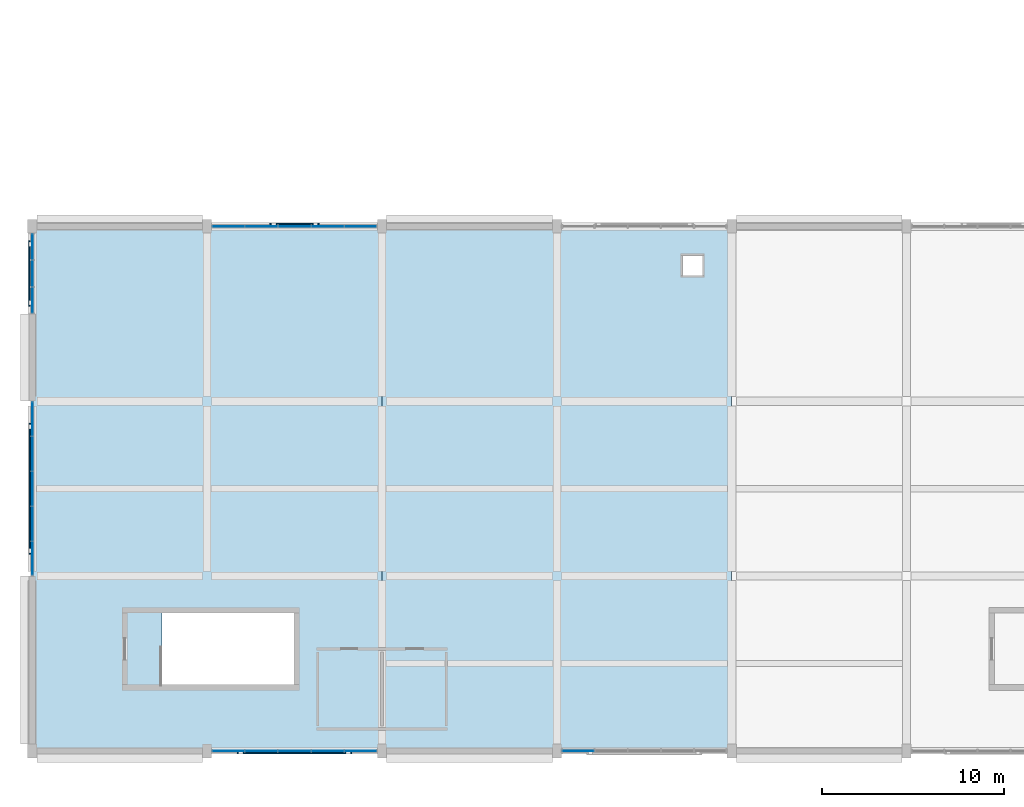
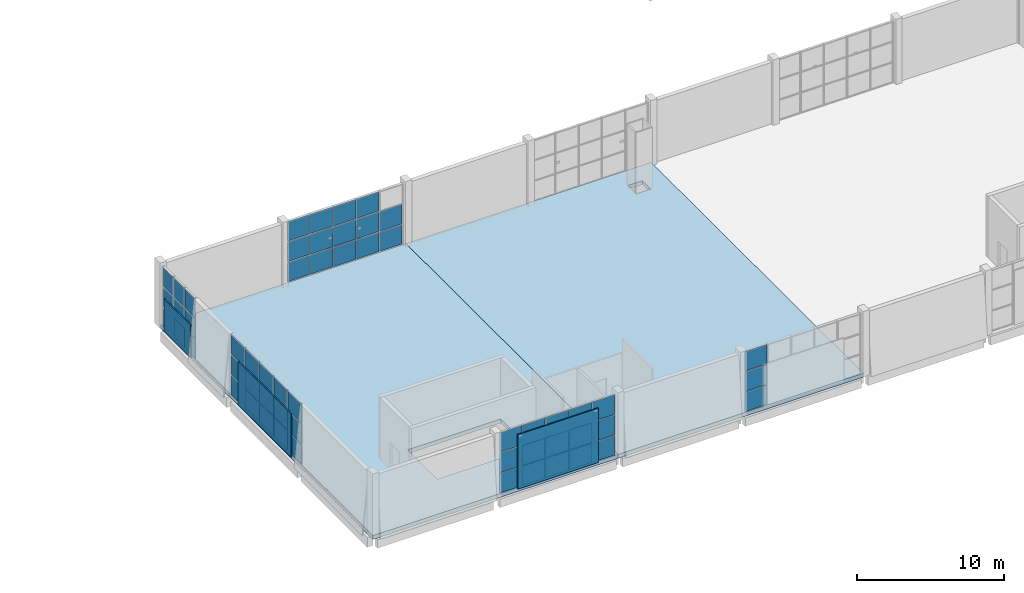
# One storey, part 34 of 72: 60 plates, 2 slabs, 5 elements without a shape of their own.
"""IFC4 building model written with IfcOpenShell, lengths in metres."""

from ifc_helpers import new_model, si_unit, direction, frame, origin, origin_2d, place, context, subcontext, project, spatial, polyline, rectangle, outline, extrude, material, layer, layer_set, type_object, element, aggregate, save


model = new_model("IFC4")

# Units and contexts
model_context = context("Model", 3, precision=1e-05, world=origin(), true_north=direction((0.0, 1.0)))
body_context = subcontext(model_context, "Body", "Model", "MODEL_VIEW")
ifc_project = project(units=[si_unit("LENGTHUNIT", "METRE"), si_unit("AREAUNIT", "SQUARE_METRE"), si_unit("VOLUMEUNIT", "CUBIC_METRE"), si_unit("PLANEANGLEUNIT", "RADIAN"), si_unit("MASSUNIT", "GRAM", prefix="KILO")], contexts=[model_context])

# Site, building, storey
site_placement = place(None, origin())
site = spatial("IfcSite", under=ifc_project, at=site_placement, CompositionType="ELEMENT")
building_placement = place(site_placement, origin())
building = spatial("IfcBuilding", under=site, at=building_placement, Name="Shalvenor Court Art Gallery", CompositionType="ELEMENT")
storey_placement = place(building_placement, frame((0.0, 0.0, 11.39990234375)))
storey = spatial("IfcBuildingStorey", under=building, at=storey_placement, Name="L02", CompositionType="ELEMENT", Elevation=11.39990234375)

# Curtain wall, plates
ifc_material_1 = material(Name="Anodised aluminium and low-iron glass curtain wall", Category="aluminium")
curtain_wall_type_1 = type_object("IfcCurtainWallType", Name="CW-5x3-91-51-141", PredefinedType="USERDEFINED", material=ifc_material_1)
curtain_wall_1_placement = place(storey_placement, origin())
curtain_wall_1 = element("IfcCurtainWall", 1, at=curtain_wall_1_placement, inside=storey, type_object=curtain_wall_type_1, Name="L02 V4 Curtain Wall CW-L02-140", ObjectType="CURTAIN WALL", PredefinedType="USERDEFINED")
ifc_material_2 = material(Name="Low-iron UV-laminated double glazing IGU", Category="glass")
ifc_layer_1 = layer(ifc_material_2, 0.028076171875, Name="Low-iron UV-laminated double glazing IGU")
ifc_layer_set_1 = layer_set([ifc_layer_1], Name="Low-iron UV-laminated double glazing IGU")
plate_type_1 = type_object("IfcPlateType", Name="CWP-01", PredefinedType="CURTAIN_PANEL", material=ifc_layer_set_1)
plate_1_placement = place(storey_placement, frame((10.7763671875, 28.800048828125, 0.0703125), z_axis=(0.0, 0.0, 1.0), x_axis=(1.0, 0.0, 0.0)))
plate_1 = element("IfcPlate", 2, at=plate_1_placement, type_object=plate_type_1, Name="CW-5x3-91-51-141 panel 1.1", PredefinedType="CURTAIN_PANEL", context=body_context, shape_type="SweptSolid", body=[
    extrude(rectangle(XDim=1.722412109375, YDim=0.028076171875, at=origin_2d()), origin(), (0.0, 0.0, 1.0), 1.594970703125),
])
plate_2_placement = place(storey_placement, frame((10.7763671875, 28.800048828125, 1.735107421875), z_axis=(0.0, 0.0, 1.0), x_axis=(1.0, 0.0, 0.0)))
plate_2 = element("IfcPlate", 3, at=plate_2_placement, type_object=plate_type_1, Name="CW-5x3-91-51-141 panel 1.2", PredefinedType="CURTAIN_PANEL", context=body_context, shape_type="SweptSolid", body=[
    extrude(rectangle(XDim=1.722412109375, YDim=0.028076171875, at=origin_2d()), origin(), (0.0, 0.0, 1.0), 1.6298828125),
])
plate_3_placement = place(storey_placement, frame((10.7763671875, 28.800048828125, 3.43505859375), z_axis=(0.0, 0.0, 1.0), x_axis=(1.0, 0.0, 0.0)))
plate_3 = element("IfcPlate", 4, at=plate_3_placement, type_object=plate_type_1, Name="CW-5x3-91-51-141 panel 1.3", PredefinedType="CURTAIN_PANEL", context=body_context, shape_type="SweptSolid", body=[
    extrude(rectangle(XDim=1.722412109375, YDim=0.028076171875, at=origin_2d()), origin(), (0.0, 0.0, 1.0), 1.594970703125),
])
plate_4_placement = place(storey_placement, frame((12.580078125, 28.800048828125, 0.0703125), z_axis=(0.0, 0.0, 1.0), x_axis=(1.0, 0.0, 0.0)))
plate_4 = element("IfcPlate", 5, at=plate_4_placement, type_object=plate_type_1, Name="CW-5x3-91-51-141 panel 2.1", PredefinedType="CURTAIN_PANEL", context=body_context, shape_type="SweptSolid", body=[
    extrude(rectangle(XDim=1.7548828125, YDim=0.028076171875, at=origin_2d()), origin(), (0.0, 0.0, 1.0), 1.594970703125),
])
plate_5_placement = place(storey_placement, frame((12.580078125, 28.800048828125, 1.735107421875), z_axis=(0.0, 0.0, 1.0), x_axis=(1.0, 0.0, 0.0)))
plate_5 = element("IfcPlate", 6, at=plate_5_placement, type_object=plate_type_1, Name="CW-5x3-91-51-141 panel 2.2", PredefinedType="CURTAIN_PANEL", context=body_context, shape_type="SweptSolid", body=[
    extrude(rectangle(XDim=1.7548828125, YDim=0.028076171875, at=origin_2d()), origin(), (0.0, 0.0, 1.0), 1.6298828125),
])
plate_6_placement = place(storey_placement, frame((12.580078125, 28.800048828125, 3.43505859375), z_axis=(0.0, 0.0, 1.0), x_axis=(1.0, 0.0, 0.0)))
plate_6 = element("IfcPlate", 7, at=plate_6_placement, type_object=plate_type_1, Name="CW-5x3-91-51-141 panel 2.3", PredefinedType="CURTAIN_PANEL", context=body_context, shape_type="SweptSolid", body=[
    extrude(rectangle(XDim=1.7548828125, YDim=0.028076171875, at=origin_2d()), origin(), (0.0, 0.0, 1.0), 1.594970703125),
])
plate_7_placement = place(storey_placement, frame((14.39990234375, 28.800048828125, 0.0703125), z_axis=(0.0, 0.0, 1.0), x_axis=(1.0, 0.0, 0.0)))
plate_7 = element("IfcPlate", 8, at=plate_7_placement, type_object=plate_type_1, Name="CW-5x3-91-51-141 panel 3.1", PredefinedType="CURTAIN_PANEL", context=body_context, shape_type="SweptSolid", body=[
    extrude(rectangle(XDim=1.7548828125, YDim=0.028076171875, at=origin_2d()), origin(), (0.0, 0.0, 1.0), 1.594970703125),
])
plate_8_placement = place(storey_placement, frame((14.39990234375, 28.800048828125, 1.735107421875), z_axis=(0.0, 0.0, 1.0), x_axis=(1.0, 0.0, 0.0)))
plate_8 = element("IfcPlate", 9, at=plate_8_placement, type_object=plate_type_1, Name="CW-5x3-91-51-141 panel 3.2", PredefinedType="CURTAIN_PANEL", context=body_context, shape_type="SweptSolid", body=[
    extrude(rectangle(XDim=1.7548828125, YDim=0.028076171875, at=origin_2d()), origin(), (0.0, 0.0, 1.0), 1.6298828125),
])
plate_9_placement = place(storey_placement, frame((14.39990234375, 28.800048828125, 3.43505859375), z_axis=(0.0, 0.0, 1.0), x_axis=(1.0, 0.0, 0.0)))
plate_9 = element("IfcPlate", 10, at=plate_9_placement, type_object=plate_type_1, Name="CW-5x3-91-51-141 panel 3.3", PredefinedType="CURTAIN_PANEL", context=body_context, shape_type="SweptSolid", body=[
    extrude(rectangle(XDim=1.7548828125, YDim=0.028076171875, at=origin_2d()), origin(), (0.0, 0.0, 1.0), 1.594970703125),
])
plate_10_placement = place(storey_placement, frame((16.219970703125, 28.800048828125, 0.0703125), z_axis=(0.0, 0.0, 1.0), x_axis=(1.0, 0.0, 0.0)))
plate_10 = element("IfcPlate", 11, at=plate_10_placement, type_object=plate_type_1, Name="CW-5x3-91-51-141 panel 4.1", PredefinedType="CURTAIN_PANEL", context=body_context, shape_type="SweptSolid", body=[
    extrude(rectangle(XDim=1.7548828125, YDim=0.028076171875, at=origin_2d()), origin(), (0.0, 0.0, 1.0), 1.594970703125),
])
plate_11_placement = place(storey_placement, frame((16.219970703125, 28.800048828125, 1.735107421875), z_axis=(0.0, 0.0, 1.0), x_axis=(1.0, 0.0, 0.0)))
plate_11 = element("IfcPlate", 12, at=plate_11_placement, type_object=plate_type_1, Name="CW-5x3-91-51-141 panel 4.2", PredefinedType="CURTAIN_PANEL", context=body_context, shape_type="SweptSolid", body=[
    extrude(rectangle(XDim=1.7548828125, YDim=0.028076171875, at=origin_2d()), origin(), (0.0, 0.0, 1.0), 1.6298828125),
])
plate_12_placement = place(storey_placement, frame((16.219970703125, 28.800048828125, 3.43505859375), z_axis=(0.0, 0.0, 1.0), x_axis=(1.0, 0.0, 0.0)))
plate_12 = element("IfcPlate", 13, at=plate_12_placement, type_object=plate_type_1, Name="CW-5x3-91-51-141 panel 4.3", PredefinedType="CURTAIN_PANEL", context=body_context, shape_type="SweptSolid", body=[
    extrude(rectangle(XDim=1.7548828125, YDim=0.028076171875, at=origin_2d()), origin(), (0.0, 0.0, 1.0), 1.594970703125),
])
plate_13_placement = place(storey_placement, frame((18.023681640625, 28.800048828125, 0.0703125), z_axis=(0.0, 0.0, 1.0), x_axis=(1.0, 0.0, 0.0)))
plate_13 = element("IfcPlate", 14, at=plate_13_placement, type_object=plate_type_1, Name="CW-5x3-91-51-141 panel 5.1", PredefinedType="CURTAIN_PANEL", context=body_context, shape_type="SweptSolid", body=[
    extrude(rectangle(XDim=1.722412109375, YDim=0.028076171875, at=origin_2d()), origin(), (0.0, 0.0, 1.0), 1.594970703125),
])
plate_14_placement = place(storey_placement, frame((18.023681640625, 28.800048828125, 1.735107421875), z_axis=(0.0, 0.0, 1.0), x_axis=(1.0, 0.0, 0.0)))
plate_14 = element("IfcPlate", 15, at=plate_14_placement, type_object=plate_type_1, Name="CW-5x3-91-51-141 panel 5.2", PredefinedType="CURTAIN_PANEL", context=body_context, shape_type="SweptSolid", body=[
    extrude(rectangle(XDim=1.722412109375, YDim=0.028076171875, at=origin_2d()), origin(), (0.0, 0.0, 1.0), 1.6298828125),
])
aggregate(curtain_wall_1, [plate_1, plate_2, plate_3, plate_4, plate_5, plate_6, plate_7, plate_8, plate_9, plate_10, plate_11, plate_12, plate_13, plate_14])

ifc_material_3 = material(Name="Anodised aluminium and low-iron glass curtain wall", Category="aluminium")
curtain_wall_type_2 = type_object("IfcCurtainWallType", Name="CW-5x3-91-51-441", PredefinedType="USERDEFINED", material=ifc_material_3)
curtain_wall_2_placement = place(storey_placement, origin())
curtain_wall_2 = element("IfcCurtainWall", 16, at=curtain_wall_2_placement, inside=storey, type_object=curtain_wall_type_2, Name="L02 V4 Curtain Wall CW-L02-146", ObjectType="CURTAIN WALL", PredefinedType="USERDEFINED")
plate_15_placement = place(storey_placement, frame((29.978759765625, 0.0, 0.0703125), z_axis=(0.0, 0.0, 1.0), x_axis=(-1.0, 0.0, 0.0)))
plate_15 = element("IfcPlate", 17, at=plate_15_placement, type_object=plate_type_1, Name="CW-5x3-91-51-441 panel 5.1", PredefinedType="CURTAIN_PANEL", context=body_context, shape_type="SweptSolid", body=[
    extrude(rectangle(XDim=1.70751953125, YDim=0.028076171875, at=origin_2d()), origin(), (0.0, 0.0, 1.0), 1.594970703125),
])
plate_16_placement = place(storey_placement, frame((29.978759765625, 0.0, 1.735107421875), z_axis=(0.0, 0.0, 1.0), x_axis=(-1.0, 0.0, 0.0)))
plate_16 = element("IfcPlate", 18, at=plate_16_placement, type_object=plate_type_1, Name="CW-5x3-91-51-441 panel 5.2", PredefinedType="CURTAIN_PANEL", context=body_context, shape_type="SweptSolid", body=[
    extrude(rectangle(XDim=1.70751953125, YDim=0.028076171875, at=origin_2d()), origin(), (0.0, 0.0, 1.0), 1.6298828125),
])
plate_17_placement = place(storey_placement, frame((29.978759765625, 0.0, 3.43505859375), z_axis=(0.0, 0.0, 1.0), x_axis=(-1.0, 0.0, 0.0)))
plate_17 = element("IfcPlate", 19, at=plate_17_placement, type_object=plate_type_1, Name="CW-5x3-91-51-441 panel 5.3", PredefinedType="CURTAIN_PANEL", context=body_context, shape_type="SweptSolid", body=[
    extrude(rectangle(XDim=1.70751953125, YDim=0.028076171875, at=origin_2d()), origin(), (0.0, 0.0, 1.0), 1.594970703125),
])
aggregate(curtain_wall_2, [plate_15, plate_16, plate_17])

ifc_material_4 = material(Name="Anodised aluminium and low-iron glass curtain wall", Category="aluminium")
curtain_wall_type_3 = type_object("IfcCurtainWallType", Name="CW-5x3-91-51-611", PredefinedType="USERDEFINED", material=ifc_material_4)
curtain_wall_3_placement = place(storey_placement, origin())
curtain_wall_3 = element("IfcCurtainWall", 20, at=curtain_wall_3_placement, inside=storey, type_object=curtain_wall_type_3, Name="L02 V4 Curtain Wall CW-L02-147", ObjectType="CURTAIN WALL", PredefinedType="USERDEFINED")
plate_18_placement = place(storey_placement, frame((18.0263671875, 0.0, 0.06005859375), z_axis=(0.0, 0.0, 1.0), x_axis=(-1.0, 0.0, 0.0)))
plate_18 = element("IfcPlate", 21, at=plate_18_placement, type_object=plate_type_1, Name="CW-5x3-91-51-611 panel 1.1", PredefinedType="CURTAIN_PANEL", context=body_context, shape_type="SweptSolid", body=[
    extrude(rectangle(XDim=1.737548828125, YDim=0.028076171875, at=origin_2d()), origin(), (0.0, 0.0, 1.0), 1.610107421875),
])
plate_19_placement = place(storey_placement, frame((18.0263671875, 0.0, 1.72998046875), z_axis=(0.0, 0.0, 1.0), x_axis=(-1.0, 0.0, 0.0)))
plate_19 = element("IfcPlate", 22, at=plate_19_placement, type_object=plate_type_1, Name="CW-5x3-91-51-611 panel 1.2", PredefinedType="CURTAIN_PANEL", context=body_context, shape_type="SweptSolid", body=[
    extrude(rectangle(XDim=1.737548828125, YDim=0.028076171875, at=origin_2d()), origin(), (0.0, 0.0, 1.0), 1.639892578125),
])
plate_20_placement = place(storey_placement, frame((18.0263671875, 0.0, 3.43017578125), z_axis=(0.0, 0.0, 1.0), x_axis=(-1.0, 0.0, 0.0)))
plate_20 = element("IfcPlate", 23, at=plate_20_placement, type_object=plate_type_1, Name="CW-5x3-91-51-611 panel 1.3", PredefinedType="CURTAIN_PANEL", context=body_context, shape_type="SweptSolid", body=[
    extrude(rectangle(XDim=1.737548828125, YDim=0.028076171875, at=origin_2d()), origin(), (0.0, 0.0, 1.0), 1.610107421875),
])
plate_21_placement = place(storey_placement, frame((16.219970703125, 0.0, 0.06005859375), z_axis=(0.0, 0.0, 1.0), x_axis=(-1.0, 0.0, 0.0)))
plate_21 = element("IfcPlate", 24, at=plate_21_placement, type_object=plate_type_1, Name="CW-5x3-91-51-611 panel 2.1", PredefinedType="CURTAIN_PANEL", context=body_context, shape_type="SweptSolid", body=[
    extrude(rectangle(XDim=1.764892578125, YDim=0.028076171875, at=origin_2d()), origin(), (0.0, 0.0, 1.0), 1.610107421875),
])
plate_22_placement = place(storey_placement, frame((16.219970703125, 0.0, 1.72998046875), z_axis=(0.0, 0.0, 1.0), x_axis=(-1.0, 0.0, 0.0)))
plate_22 = element("IfcPlate", 25, at=plate_22_placement, type_object=plate_type_1, Name="CW-5x3-91-51-611 panel 2.2", PredefinedType="CURTAIN_PANEL", context=body_context, shape_type="SweptSolid", body=[
    extrude(rectangle(XDim=1.764892578125, YDim=0.028076171875, at=origin_2d()), origin(), (0.0, 0.0, 1.0), 1.639892578125),
])
plate_23_placement = place(storey_placement, frame((16.219970703125, 0.0, 3.43017578125), z_axis=(0.0, 0.0, 1.0), x_axis=(-1.0, 0.0, 0.0)))
plate_23 = element("IfcPlate", 26, at=plate_23_placement, type_object=plate_type_1, Name="CW-5x3-91-51-611 panel 2.3", PredefinedType="CURTAIN_PANEL", context=body_context, shape_type="SweptSolid", body=[
    extrude(rectangle(XDim=1.764892578125, YDim=0.028076171875, at=origin_2d()), origin(), (0.0, 0.0, 1.0), 1.610107421875),
])
plate_24_placement = place(storey_placement, frame((14.39990234375, 0.0, 0.06005859375), z_axis=(0.0, 0.0, 1.0), x_axis=(-1.0, 0.0, 0.0)))
plate_24 = element("IfcPlate", 27, at=plate_24_placement, type_object=plate_type_1, Name="CW-5x3-91-51-611 panel 3.1", PredefinedType="CURTAIN_PANEL", context=body_context, shape_type="SweptSolid", body=[
    extrude(rectangle(XDim=1.764892578125, YDim=0.028076171875, at=origin_2d()), origin(), (0.0, 0.0, 1.0), 1.610107421875),
])
plate_25_placement = place(storey_placement, frame((14.39990234375, 0.0, 1.72998046875), z_axis=(0.0, 0.0, 1.0), x_axis=(-1.0, 0.0, 0.0)))
plate_25 = element("IfcPlate", 28, at=plate_25_placement, type_object=plate_type_1, Name="CW-5x3-91-51-611 panel 3.2", PredefinedType="CURTAIN_PANEL", context=body_context, shape_type="SweptSolid", body=[
    extrude(rectangle(XDim=1.764892578125, YDim=0.028076171875, at=origin_2d()), origin(), (0.0, 0.0, 1.0), 1.639892578125),
])
plate_26_placement = place(storey_placement, frame((14.39990234375, 0.0, 3.43017578125), z_axis=(0.0, 0.0, 1.0), x_axis=(-1.0, 0.0, 0.0)))
plate_26 = element("IfcPlate", 29, at=plate_26_placement, type_object=plate_type_1, Name="CW-5x3-91-51-611 panel 3.3", PredefinedType="CURTAIN_PANEL", context=body_context, shape_type="SweptSolid", body=[
    extrude(rectangle(XDim=1.764892578125, YDim=0.028076171875, at=origin_2d()), origin(), (0.0, 0.0, 1.0), 1.610107421875),
])
plate_27_placement = place(storey_placement, frame((12.580078125, 0.0, 0.06005859375), z_axis=(0.0, 0.0, 1.0), x_axis=(-1.0, 0.0, 0.0)))
plate_27 = element("IfcPlate", 30, at=plate_27_placement, type_object=plate_type_1, Name="CW-5x3-91-51-611 panel 4.1", PredefinedType="CURTAIN_PANEL", context=body_context, shape_type="SweptSolid", body=[
    extrude(rectangle(XDim=1.764892578125, YDim=0.028076171875, at=origin_2d()), origin(), (0.0, 0.0, 1.0), 1.610107421875),
])
plate_28_placement = place(storey_placement, frame((12.580078125, 0.0, 1.72998046875), z_axis=(0.0, 0.0, 1.0), x_axis=(-1.0, 0.0, 0.0)))
plate_28 = element("IfcPlate", 31, at=plate_28_placement, type_object=plate_type_1, Name="CW-5x3-91-51-611 panel 4.2", PredefinedType="CURTAIN_PANEL", context=body_context, shape_type="SweptSolid", body=[
    extrude(rectangle(XDim=1.764892578125, YDim=0.028076171875, at=origin_2d()), origin(), (0.0, 0.0, 1.0), 1.639892578125),
])
plate_29_placement = place(storey_placement, frame((12.580078125, 0.0, 3.43017578125), z_axis=(0.0, 0.0, 1.0), x_axis=(-1.0, 0.0, 0.0)))
plate_29 = element("IfcPlate", 32, at=plate_29_placement, type_object=plate_type_1, Name="CW-5x3-91-51-611 panel 4.3", PredefinedType="CURTAIN_PANEL", context=body_context, shape_type="SweptSolid", body=[
    extrude(rectangle(XDim=1.764892578125, YDim=0.028076171875, at=origin_2d()), origin(), (0.0, 0.0, 1.0), 1.610107421875),
])
plate_30_placement = place(storey_placement, frame((10.773681640625, 0.0, 0.06005859375), z_axis=(0.0, 0.0, 1.0), x_axis=(-1.0, 0.0, 0.0)))
plate_30 = element("IfcPlate", 33, at=plate_30_placement, type_object=plate_type_1, Name="CW-5x3-91-51-611 panel 5.1", PredefinedType="CURTAIN_PANEL", context=body_context, shape_type="SweptSolid", body=[
    extrude(rectangle(XDim=1.737548828125, YDim=0.028076171875, at=origin_2d()), origin(), (0.0, 0.0, 1.0), 1.610107421875),
])
plate_31_placement = place(storey_placement, frame((10.773681640625, 0.0, 1.72998046875), z_axis=(0.0, 0.0, 1.0), x_axis=(-1.0, 0.0, 0.0)))
plate_31 = element("IfcPlate", 34, at=plate_31_placement, type_object=plate_type_1, Name="CW-5x3-91-51-611 panel 5.2", PredefinedType="CURTAIN_PANEL", context=body_context, shape_type="SweptSolid", body=[
    extrude(rectangle(XDim=1.737548828125, YDim=0.028076171875, at=origin_2d()), origin(), (0.0, 0.0, 1.0), 1.639892578125),
])
plate_32_placement = place(storey_placement, frame((10.773681640625, 0.0, 3.43017578125), z_axis=(0.0, 0.0, 1.0), x_axis=(-1.0, 0.0, 0.0)))
plate_32 = element("IfcPlate", 35, at=plate_32_placement, type_object=plate_type_1, Name="CW-5x3-91-51-611 panel 5.3", PredefinedType="CURTAIN_PANEL", context=body_context, shape_type="SweptSolid", body=[
    extrude(rectangle(XDim=1.737548828125, YDim=0.028076171875, at=origin_2d()), origin(), (0.0, 0.0, 1.0), 1.610107421875),
])
aggregate(curtain_wall_3, [plate_18, plate_19, plate_20, plate_21, plate_22, plate_23, plate_24, plate_25, plate_26, plate_27, plate_28, plate_29, plate_30, plate_31, plate_32])

ifc_material_5 = material(Name="Anodised aluminium and low-iron glass curtain wall", Category="aluminium")
curtain_wall_type_4 = type_object("IfcCurtainWallType", Name="CW-5x3-96-51-121", PredefinedType="USERDEFINED", material=ifc_material_5)
curtain_wall_4_placement = place(storey_placement, origin())
curtain_wall_4 = element("IfcCurtainWall", 36, at=curtain_wall_4_placement, inside=storey, type_object=curtain_wall_type_4, Name="L02 V4 Curtain Wall CW-L02-148", ObjectType="CURTAIN WALL", PredefinedType="USERDEFINED")
plate_33_placement = place(storey_placement, frame((0.0, 10.576171875, 0.065185546875), z_axis=(0.0, 0.0, 1.0), x_axis=(0.0, 1.0, 0.0)))
plate_33 = element("IfcPlate", 37, at=plate_33_placement, type_object=plate_type_1, Name="CW-5x3-96-51-121 panel 1.1", PredefinedType="CURTAIN_PANEL", context=body_context, shape_type="SweptSolid", body=[
    extrude(rectangle(XDim=1.822509765625, YDim=0.028076171875, at=origin_2d()), origin(), (0.0, 0.0, 1.0), 1.6025390625),
])
plate_34_placement = place(storey_placement, frame((0.0, 10.576171875, 1.732421875), z_axis=(0.0, 0.0, 1.0), x_axis=(0.0, 1.0, 0.0)))
plate_34 = element("IfcPlate", 38, at=plate_34_placement, type_object=plate_type_1, Name="CW-5x3-96-51-121 panel 1.2", PredefinedType="CURTAIN_PANEL", context=body_context, shape_type="SweptSolid", body=[
    extrude(rectangle(XDim=1.822509765625, YDim=0.028076171875, at=origin_2d()), origin(), (0.0, 0.0, 1.0), 1.635009765625),
])
plate_35_placement = place(storey_placement, frame((0.0, 10.576171875, 3.4326171875), z_axis=(0.0, 0.0, 1.0), x_axis=(0.0, 1.0, 0.0)))
plate_35 = element("IfcPlate", 39, at=plate_35_placement, type_object=plate_type_1, Name="CW-5x3-96-51-121 panel 1.3", PredefinedType="CURTAIN_PANEL", context=body_context, shape_type="SweptSolid", body=[
    extrude(rectangle(XDim=1.822509765625, YDim=0.028076171875, at=origin_2d()), origin(), (0.0, 0.0, 1.0), 1.6025390625),
])
plate_36_placement = place(storey_placement, frame((0.0, 12.47998046875, 0.065185546875), z_axis=(0.0, 0.0, 1.0), x_axis=(0.0, 1.0, 0.0)))
plate_36 = element("IfcPlate", 40, at=plate_36_placement, type_object=plate_type_1, Name="CW-5x3-96-51-121 panel 2.1", PredefinedType="CURTAIN_PANEL", context=body_context, shape_type="SweptSolid", body=[
    extrude(rectangle(XDim=1.85498046875, YDim=0.028076171875, at=origin_2d()), origin(), (0.0, 0.0, 1.0), 1.6025390625),
])
plate_37_placement = place(storey_placement, frame((0.0, 12.47998046875, 1.732421875), z_axis=(0.0, 0.0, 1.0), x_axis=(0.0, 1.0, 0.0)))
plate_37 = element("IfcPlate", 41, at=plate_37_placement, type_object=plate_type_1, Name="CW-5x3-96-51-121 panel 2.2", PredefinedType="CURTAIN_PANEL", context=body_context, shape_type="SweptSolid", body=[
    extrude(rectangle(XDim=1.85498046875, YDim=0.028076171875, at=origin_2d()), origin(), (0.0, 0.0, 1.0), 1.635009765625),
])
plate_38_placement = place(storey_placement, frame((0.0, 12.47998046875, 3.4326171875), z_axis=(0.0, 0.0, 1.0), x_axis=(0.0, 1.0, 0.0)))
plate_38 = element("IfcPlate", 42, at=plate_38_placement, type_object=plate_type_1, Name="CW-5x3-96-51-121 panel 2.3", PredefinedType="CURTAIN_PANEL", context=body_context, shape_type="SweptSolid", body=[
    extrude(rectangle(XDim=1.85498046875, YDim=0.028076171875, at=origin_2d()), origin(), (0.0, 0.0, 1.0), 1.6025390625),
])
plate_39_placement = place(storey_placement, frame((0.0, 14.39990234375, 0.065185546875), z_axis=(0.0, 0.0, 1.0), x_axis=(0.0, 1.0, 0.0)))
plate_39 = element("IfcPlate", 43, at=plate_39_placement, type_object=plate_type_1, Name="CW-5x3-96-51-121 panel 3.1", PredefinedType="CURTAIN_PANEL", context=body_context, shape_type="SweptSolid", body=[
    extrude(rectangle(XDim=1.85498046875, YDim=0.028076171875, at=origin_2d()), origin(), (0.0, 0.0, 1.0), 1.6025390625),
])
plate_40_placement = place(storey_placement, frame((0.0, 14.39990234375, 1.732421875), z_axis=(0.0, 0.0, 1.0), x_axis=(0.0, 1.0, 0.0)))
plate_40 = element("IfcPlate", 44, at=plate_40_placement, type_object=plate_type_1, Name="CW-5x3-96-51-121 panel 3.2", PredefinedType="CURTAIN_PANEL", context=body_context, shape_type="SweptSolid", body=[
    extrude(rectangle(XDim=1.85498046875, YDim=0.028076171875, at=origin_2d()), origin(), (0.0, 0.0, 1.0), 1.635009765625),
])
plate_41_placement = place(storey_placement, frame((0.0, 14.39990234375, 3.4326171875), z_axis=(0.0, 0.0, 1.0), x_axis=(0.0, 1.0, 0.0)))
plate_41 = element("IfcPlate", 45, at=plate_41_placement, type_object=plate_type_1, Name="CW-5x3-96-51-121 panel 3.3", PredefinedType="CURTAIN_PANEL", context=body_context, shape_type="SweptSolid", body=[
    extrude(rectangle(XDim=1.85498046875, YDim=0.028076171875, at=origin_2d()), origin(), (0.0, 0.0, 1.0), 1.6025390625),
])
plate_42_placement = place(storey_placement, frame((0.0, 16.320068359375, 0.065185546875), z_axis=(0.0, 0.0, 1.0), x_axis=(0.0, 1.0, 0.0)))
plate_42 = element("IfcPlate", 46, at=plate_42_placement, type_object=plate_type_1, Name="CW-5x3-96-51-121 panel 4.1", PredefinedType="CURTAIN_PANEL", context=body_context, shape_type="SweptSolid", body=[
    extrude(rectangle(XDim=1.85498046875, YDim=0.028076171875, at=origin_2d()), origin(), (0.0, 0.0, 1.0), 1.6025390625),
])
plate_43_placement = place(storey_placement, frame((0.0, 16.320068359375, 1.732421875), z_axis=(0.0, 0.0, 1.0), x_axis=(0.0, 1.0, 0.0)))
plate_43 = element("IfcPlate", 47, at=plate_43_placement, type_object=plate_type_1, Name="CW-5x3-96-51-121 panel 4.2", PredefinedType="CURTAIN_PANEL", context=body_context, shape_type="SweptSolid", body=[
    extrude(rectangle(XDim=1.85498046875, YDim=0.028076171875, at=origin_2d()), origin(), (0.0, 0.0, 1.0), 1.635009765625),
])
plate_44_placement = place(storey_placement, frame((0.0, 16.320068359375, 3.4326171875), z_axis=(0.0, 0.0, 1.0), x_axis=(0.0, 1.0, 0.0)))
plate_44 = element("IfcPlate", 48, at=plate_44_placement, type_object=plate_type_1, Name="CW-5x3-96-51-121 panel 4.3", PredefinedType="CURTAIN_PANEL", context=body_context, shape_type="SweptSolid", body=[
    extrude(rectangle(XDim=1.85498046875, YDim=0.028076171875, at=origin_2d()), origin(), (0.0, 0.0, 1.0), 1.6025390625),
])
plate_45_placement = place(storey_placement, frame((0.0, 18.2236328125, 0.065185546875), z_axis=(0.0, 0.0, 1.0), x_axis=(0.0, 1.0, 0.0)))
plate_45 = element("IfcPlate", 49, at=plate_45_placement, type_object=plate_type_1, Name="CW-5x3-96-51-121 panel 5.1", PredefinedType="CURTAIN_PANEL", context=body_context, shape_type="SweptSolid", body=[
    extrude(rectangle(XDim=1.822509765625, YDim=0.028076171875, at=origin_2d()), origin(), (0.0, 0.0, 1.0), 1.6025390625),
])
plate_46_placement = place(storey_placement, frame((0.0, 18.2236328125, 1.732421875), z_axis=(0.0, 0.0, 1.0), x_axis=(0.0, 1.0, 0.0)))
plate_46 = element("IfcPlate", 50, at=plate_46_placement, type_object=plate_type_1, Name="CW-5x3-96-51-121 panel 5.2", PredefinedType="CURTAIN_PANEL", context=body_context, shape_type="SweptSolid", body=[
    extrude(rectangle(XDim=1.822509765625, YDim=0.028076171875, at=origin_2d()), origin(), (0.0, 0.0, 1.0), 1.635009765625),
])
plate_47_placement = place(storey_placement, frame((0.0, 18.2236328125, 3.4326171875), z_axis=(0.0, 0.0, 1.0), x_axis=(0.0, 1.0, 0.0)))
plate_47 = element("IfcPlate", 51, at=plate_47_placement, type_object=plate_type_1, Name="CW-5x3-96-51-121 panel 5.3", PredefinedType="CURTAIN_PANEL", context=body_context, shape_type="SweptSolid", body=[
    extrude(rectangle(XDim=1.822509765625, YDim=0.028076171875, at=origin_2d()), origin(), (0.0, 0.0, 1.0), 1.6025390625),
])
aggregate(curtain_wall_4, [plate_33, plate_34, plate_35, plate_36, plate_37, plate_38, plate_39, plate_40, plate_41, plate_42, plate_43, plate_44, plate_45, plate_46, plate_47])

ifc_material_6 = material(Name="Anodised aluminium and low-iron glass curtain wall", Category="aluminium")
curtain_wall_type_5 = type_object("IfcCurtainWallType", Name="CW-3x3-44-51-241", PredefinedType="USERDEFINED", material=ifc_material_6)
curtain_wall_5_placement = place(storey_placement, origin())
curtain_wall_5 = element("IfcCurtainWall", 52, at=curtain_wall_5_placement, inside=storey, type_object=curtain_wall_type_5, Name="L02 V4 Curtain Wall CW-L02-149", ObjectType="CURTAIN WALL", PredefinedType="USERDEFINED")
plate_48_placement = place(storey_placement, frame((0.0, 24.7548828125, 0.0703125), z_axis=(0.0, 0.0, 1.0), x_axis=(0.0, 1.0, 0.0)))
plate_48 = element("IfcPlate", 53, at=plate_48_placement, type_object=plate_type_1, Name="CW-3x3-44-51-241 panel 1.1", PredefinedType="CURTAIN_PANEL", context=body_context, shape_type="SweptSolid", body=[
    extrude(rectangle(XDim=1.3701171875, YDim=0.028076171875, at=origin_2d()), origin(), (0.0, 0.0, 1.0), 1.594970703125),
])
plate_49_placement = place(storey_placement, frame((0.0, 24.7548828125, 1.735107421875), z_axis=(0.0, 0.0, 1.0), x_axis=(0.0, 1.0, 0.0)))
plate_49 = element("IfcPlate", 54, at=plate_49_placement, type_object=plate_type_1, Name="CW-3x3-44-51-241 panel 1.2", PredefinedType="CURTAIN_PANEL", context=body_context, shape_type="SweptSolid", body=[
    extrude(rectangle(XDim=1.3701171875, YDim=0.028076171875, at=origin_2d()), origin(), (0.0, 0.0, 1.0), 1.6298828125),
])
plate_50_placement = place(storey_placement, frame((0.0, 24.7548828125, 3.43505859375), z_axis=(0.0, 0.0, 1.0), x_axis=(0.0, 1.0, 0.0)))
plate_50 = element("IfcPlate", 55, at=plate_50_placement, type_object=plate_type_1, Name="CW-3x3-44-51-241 panel 1.3", PredefinedType="CURTAIN_PANEL", context=body_context, shape_type="SweptSolid", body=[
    extrude(rectangle(XDim=1.3701171875, YDim=0.028076171875, at=origin_2d()), origin(), (0.0, 0.0, 1.0), 1.594970703125),
])
plate_51_placement = place(storey_placement, frame((0.0, 26.21240234375, 0.0703125), z_axis=(0.0, 0.0, 1.0), x_axis=(0.0, 1.0, 0.0)))
plate_51 = element("IfcPlate", 56, at=plate_51_placement, type_object=plate_type_1, Name="CW-3x3-44-51-241 panel 2.1", PredefinedType="CURTAIN_PANEL", context=body_context, shape_type="SweptSolid", body=[
    extrude(rectangle(XDim=1.405029296875, YDim=0.028076171875, at=origin_2d()), origin(), (0.0, 0.0, 1.0), 1.594970703125),
])
plate_52_placement = place(storey_placement, frame((0.0, 26.21240234375, 1.735107421875), z_axis=(0.0, 0.0, 1.0), x_axis=(0.0, 1.0, 0.0)))
plate_52 = element("IfcPlate", 57, at=plate_52_placement, type_object=plate_type_1, Name="CW-3x3-44-51-241 panel 2.2", PredefinedType="CURTAIN_PANEL", context=body_context, shape_type="SweptSolid", body=[
    extrude(rectangle(XDim=1.405029296875, YDim=0.028076171875, at=origin_2d()), origin(), (0.0, 0.0, 1.0), 1.6298828125),
])
plate_53_placement = place(storey_placement, frame((0.0, 26.21240234375, 3.43505859375), z_axis=(0.0, 0.0, 1.0), x_axis=(0.0, 1.0, 0.0)))
plate_53 = element("IfcPlate", 58, at=plate_53_placement, type_object=plate_type_1, Name="CW-3x3-44-51-241 panel 2.3", PredefinedType="CURTAIN_PANEL", context=body_context, shape_type="SweptSolid", body=[
    extrude(rectangle(XDim=1.405029296875, YDim=0.028076171875, at=origin_2d()), origin(), (0.0, 0.0, 1.0), 1.594970703125),
])
plate_54_placement = place(storey_placement, frame((0.0, 27.669921875, 0.0703125), z_axis=(0.0, 0.0, 1.0), x_axis=(0.0, 1.0, 0.0)))
plate_54 = element("IfcPlate", 59, at=plate_54_placement, type_object=plate_type_1, Name="CW-3x3-44-51-241 panel 3.1", PredefinedType="CURTAIN_PANEL", context=body_context, shape_type="SweptSolid", body=[
    extrude(rectangle(XDim=1.3701171875, YDim=0.028076171875, at=origin_2d()), origin(), (0.0, 0.0, 1.0), 1.594970703125),
])
plate_55_placement = place(storey_placement, frame((0.0, 27.669921875, 1.735107421875), z_axis=(0.0, 0.0, 1.0), x_axis=(0.0, 1.0, 0.0)))
plate_55 = element("IfcPlate", 60, at=plate_55_placement, type_object=plate_type_1, Name="CW-3x3-44-51-241 panel 3.2", PredefinedType="CURTAIN_PANEL", context=body_context, shape_type="SweptSolid", body=[
    extrude(rectangle(XDim=1.3701171875, YDim=0.028076171875, at=origin_2d()), origin(), (0.0, 0.0, 1.0), 1.6298828125),
])
plate_56_placement = place(storey_placement, frame((0.0, 27.669921875, 3.43505859375), z_axis=(0.0, 0.0, 1.0), x_axis=(0.0, 1.0, 0.0)))
plate_56 = element("IfcPlate", 61, at=plate_56_placement, type_object=plate_type_1, Name="CW-3x3-44-51-241 panel 3.3", PredefinedType="CURTAIN_PANEL", context=body_context, shape_type="SweptSolid", body=[
    extrude(rectangle(XDim=1.3701171875, YDim=0.028076171875, at=origin_2d()), origin(), (0.0, 0.0, 1.0), 1.594970703125),
])
aggregate(curtain_wall_5, [plate_48, plate_49, plate_50, plate_51, plate_52, plate_53, plate_54, plate_55, plate_56])

# Slabs
ifc_material_7 = material(Name="Concrete C40/50", Category="concrete")
ifc_layer_2 = layer(ifc_material_7, 0.320068359375, Name="Concrete C40/50")
ifc_layer_set_2 = layer_set([ifc_layer_2], Name="Concrete C40/50")
slab_type = type_object("IfcSlabType", Name="FS-320", PredefinedType="FLOOR", material=ifc_layer_set_2)
slab_1_placement = place(storey_placement, frame((0.0, 0.0, -0.31982421875)))
element("IfcSlab", 62, at=slab_1_placement, inside=storey, type_object=slab_type, Name="L02 V4 Floor Slab 1", PredefinedType="FLOOR", context=body_context, shape_type="SweptSolid", body=[
    extrude(outline(polyline([(19.199951171875, 28.800048828125), (19.199951171875, 0.0), (0.0, 0.0), (0.0, 28.800048828125), (19.199951171875, 28.800048828125)]), holes=[polyline([(7.111083984375, 3.60009765625), (14.39990234375, 3.60009765625), (14.39990234375, 7.60009765625), (7.111083984375, 7.60009765625), (7.111083984375, 3.60009765625)])]), origin(), (0.0, 0.0, 1.0), 0.31982421875),
])
slab_2_placement = place(storey_placement, frame((0.0, 0.0, -0.31982421875)))
element("IfcSlab", 63, at=slab_2_placement, inside=storey, type_object=slab_type, Name="L02 V4 Floor Slab 2", PredefinedType="FLOOR", context=body_context, shape_type="SweptSolid", body=[
    extrude(outline(polyline([(38.39990234375, 28.800048828125), (38.39990234375, 0.0), (19.199951171875, 0.0), (19.199951171875, 28.800048828125), (38.39990234375, 28.800048828125)]), holes=[polyline([(35.699951171875, 26.10009765625), (36.800048828125, 26.10009765625), (36.800048828125, 27.199951171875), (35.699951171875, 27.199951171875), (35.699951171875, 26.10009765625)])]), origin(), (0.0, 0.0, 1.0), 0.31982421875),
])

# Plates
ifc_material_8 = material(Name="Perforated pale limestone GRC lattice", Category="masonry")
ifc_layer_3 = layer(ifc_material_8, 0.090087890625, Name="Perforated pale limestone GRC lattice")
ifc_layer_set_3 = layer_set([ifc_layer_3], Name="Perforated pale limestone GRC lattice")
plate_type_2 = type_object("IfcPlateType", Name="SCR-06", PredefinedType="USERDEFINED", material=ifc_layer_set_3)
plate_57_placement = place(storey_placement, frame((14.39990234375, -0.113037109375, 0.0), z_axis=(0.0, 0.0, 1.0), x_axis=(-1.0, 0.0, 0.0)))
element("IfcPlate", 64, at=plate_57_placement, inside=storey, type_object=plate_type_2, Name="L02 V4 Perforated Stone Lattice Screen PLT-SCR-0132", ObjectType="SCREEN", PredefinedType="USERDEFINED", context=body_context, shape_type="SweptSolid", body=[
    extrude(rectangle(XDim=6.300048828125, YDim=0.090087890625, at=origin_2d()), origin(), (0.0, 0.0, 1.0), 4.5),
])
ifc_material_9 = material(Name="Perforated pale limestone GRC lattice", Category="masonry")
ifc_layer_4 = layer(ifc_material_9, 0.090087890625, Name="Perforated pale limestone GRC lattice")
ifc_layer_set_4 = layer_set([ifc_layer_4], Name="Perforated pale limestone GRC lattice")
plate_type_3 = type_object("IfcPlateType", Name="SCR-07", PredefinedType="USERDEFINED", material=ifc_layer_set_4)
plate_58_placement = place(storey_placement, frame((-0.133056640625, 14.39990234375, 0.0), z_axis=(0.0, 0.0, 1.0), x_axis=(0.0, 1.0, 0.0)))
element("IfcPlate", 65, at=plate_58_placement, inside=storey, type_object=plate_type_3, Name="L02 V4 Perforated Stone Lattice Screen PLT-SCR-0133", ObjectType="SCREEN", PredefinedType="USERDEFINED", context=body_context, shape_type="SweptSolid", body=[
    extrude(rectangle(XDim=7.199951171875, YDim=0.090087890625, at=origin_2d()), origin(), (0.0, 0.0, 1.0), 3.60009765625),
])
ifc_material_10 = material(Name="Perforated pale limestone GRC lattice", Category="masonry")
ifc_layer_5 = layer(ifc_material_10, 0.090087890625, Name="Perforated pale limestone GRC lattice")
ifc_layer_set_5 = layer_set([ifc_layer_5], Name="Perforated pale limestone GRC lattice")
plate_type_4 = type_object("IfcPlateType", Name="SCR-10", PredefinedType="USERDEFINED", material=ifc_layer_set_5)
plate_59_placement = place(storey_placement, frame((-0.14306640625, 26.21240234375, 0.0), z_axis=(0.0, 0.0, 1.0), x_axis=(0.0, 1.0, 0.0)))
element("IfcPlate", 66, at=plate_59_placement, inside=storey, type_object=plate_type_4, Name="L02 V4 Perforated Stone Lattice Screen PLT-SCR-0134", ObjectType="SCREEN", PredefinedType="USERDEFINED", context=body_context, shape_type="SweptSolid", body=[
    extrude(rectangle(XDim=3.60009765625, YDim=0.090087890625, at=origin_2d()), origin(), (0.0, 0.0, 1.0), 2.699951171875),
])
ifc_material_11 = material(Name="Perforated pale limestone GRC lattice", Category="masonry")
ifc_layer_6 = layer(ifc_material_11, 0.0849609375, Name="Perforated pale limestone GRC lattice")
ifc_layer_set_6 = layer_set([ifc_layer_6], Name="Perforated pale limestone GRC lattice")
plate_type_5 = type_object("IfcPlateType", Name="SCR-13", PredefinedType="USERDEFINED", material=ifc_layer_set_6)
plate_60_placement = place(storey_placement, frame((14.39990234375, 28.930419921875, 0.0), z_axis=(0.0, 0.0, 1.0), x_axis=(1.0, 0.0, 0.0)))
element("IfcPlate", 67, at=plate_60_placement, inside=storey, type_object=plate_type_5, Name="L02 V4 Perforated Stone Lattice Screen PLT-SCR-0125", ObjectType="SCREEN", PredefinedType="USERDEFINED", context=body_context, shape_type="SweptSolid", body=[
    extrude(rectangle(XDim=2.699951171875, YDim=0.0849609375, at=origin_2d()), origin(), (0.0, 0.0, 1.0), 2.699951171875),
])

save(model, "model.ifc")
